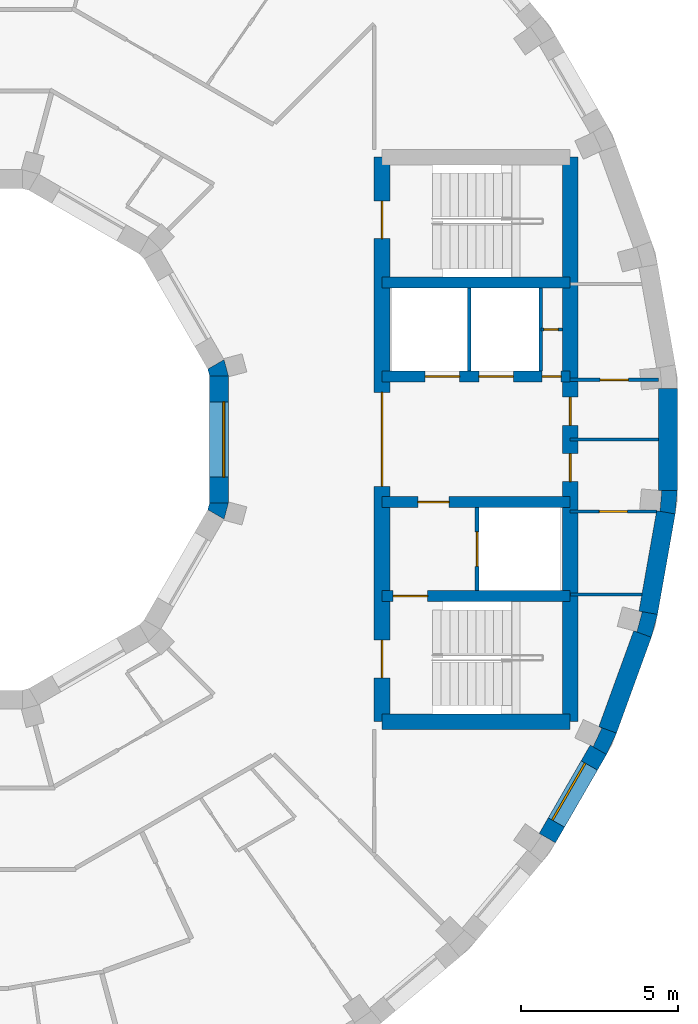
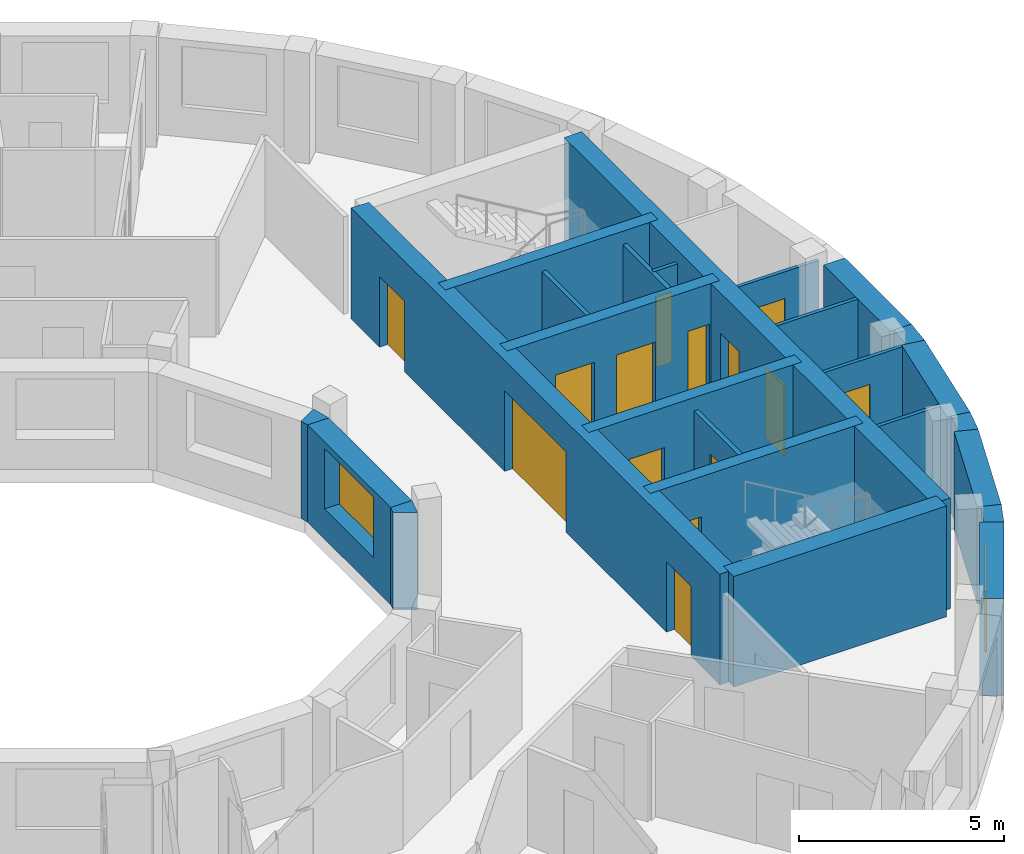
# One storey, part 6 of 10: 25 walls, 14 doors, 2 windows, 16 openings.
"""IFC4 building model written with IfcOpenShell, lengths in metres."""

from ifc_helpers import new_model, si_unit, direction, frame, frame_2d, origin, place, context, subcontext, project, spatial, polyline, rectangle, outline, extrude, material, layer, layer_set, type_object, element, fill, save


model = new_model("IFC4")

# Units and contexts
model_context = context("Model", 3, precision=1e-05, world=origin(), true_north=direction((0.0, 1.0)))
body_context = subcontext(model_context, "Body", "Model", "MODEL_VIEW")
ifc_project = project(units=[si_unit("LENGTHUNIT", "METRE"), si_unit("AREAUNIT", "SQUARE_METRE"), si_unit("VOLUMEUNIT", "CUBIC_METRE"), si_unit("PLANEANGLEUNIT", "RADIAN"), si_unit("MASSUNIT", "GRAM", prefix="KILO")], contexts=[model_context])

# Site, building, storey
site_placement = place(None, origin())
site = spatial("IfcSite", under=ifc_project, at=site_placement, CompositionType="ELEMENT")
building_placement = place(site_placement, origin())
building = spatial("IfcBuilding", under=site, at=building_placement, Name="Saqina Gate Tower", CompositionType="ELEMENT")
storey_placement = place(building_placement, frame((0.0, 0.0, 249.5)))
storey = spatial("IfcBuildingStorey", under=building, at=storey_placement, Name="L71", CompositionType="ELEMENT", Elevation=249.5)

# Walls
ifc_material_1 = material(Name="Brick masonry (buff)", Category="masonry")
wall_type_1 = type_object("IfcWallType", Name="BRICK PIER COPING BUFF", PredefinedType="SOLIDWALL", material=ifc_material_1)
wall_1_placement = place(storey_placement, origin())
element("IfcWall", 1, at=wall_1_placement, inside=storey, type_object=wall_type_1, Name="Pier cap L71 column 34", PredefinedType="SOLIDWALL", context=body_context, shape_type="SweptSolid", body=[
    extrude(outline(polyline([(20.65576171875, -10.048095703125), (20.974609375, -9.3642578125), (20.410888671875, -9.1591796875), (20.506591796875, -9.203857421875), (20.23193359375, -9.79296875), (20.135986328125, -9.748291015625), (20.65576171875, -10.048095703125)])), origin(), (0.0, 0.0, 1.0), 2.89990234375),
])
wall_2_placement = place(storey_placement, origin())
element("IfcWall", 2, at=wall_2_placement, inside=storey, type_object=wall_type_1, Name="Pier cap L71 column 35", PredefinedType="SOLIDWALL", context=body_context, shape_type="SweptSolid", body=[
    extrude(outline(polyline([(22.281982421875, -5.579833984375), (21.691162109375, -5.4755859375), (21.793212890625, -5.5029296875), (21.625, -6.130859375), (21.52294921875, -6.103515625), (22.0869140625, -6.30859375), (22.281982421875, -5.579833984375)])), origin(), (0.0, 0.0, 1.0), 2.89990234375),
])
wall_3_placement = place(storey_placement, origin())
element("IfcWall", 3, at=wall_3_placement, inside=storey, type_object=wall_type_1, Name="Pier cap L71 column 36", PredefinedType="SOLIDWALL", context=body_context, shape_type="SweptSolid", body=[
    extrude(outline(polyline([(22.8466796875, -2.377685546875), (22.91259765625, -1.625732421875), (22.3125, -1.625732421875), (22.417724609375, -1.635009765625), (22.361083984375, -2.28271484375), (22.255859375, -2.2734375), (22.8466796875, -2.377685546875)])), origin(), (0.0, 0.0, 1.0), 2.89990234375),
])

# Wall, opening, door
ifc_material_2 = material(Name="Gypsum board on steel studs", Category="steel")
ifc_layer_1 = layer(ifc_material_2, 0.10009765625)
ifc_layer_set_1 = layer_set([ifc_layer_1], Name="CORE PARTITION")
wall_type_2 = type_object("IfcWallType", Name="CORE PARTITION", PredefinedType="PARTITIONING", material=ifc_layer_set_1)
wall_4_placement = place(storey_placement, frame((18.56005859375, 3.5, 0.0), z_axis=(0.0, 0.0, 1.0), x_axis=(1.0, 0.0, 0.0)))
wall_4 = element("IfcWall", 4, at=wall_4_placement, inside=storey, type_object=wall_type_2, Name="L71-CP-E01", PredefinedType="PARTITIONING", context=body_context, shape_type="SweptSolid", body=[
    extrude(rectangle(XDim=0.68994140625, YDim=0.10009765625, at=frame_2d((0.344970703125, 0.0))), origin(), (0.0, 0.0, 1.0), 2.89990234375),
])
opening_1_placement = place(wall_4_placement, frame((0.10009765625, 0.0, 0.0)))
opening_1 = element("IfcOpeningElement", 5, at=opening_1_placement, cuts=wall_4, Name="Opening G21-D96", PredefinedType="OPENING", context=body_context, shape_type="SweptSolid", body=[
    extrude(rectangle(XDim=0.449951171875, YDim=2.10009765625, at=frame_2d((0.22509765625, 1.050048828125))), frame((0.0, 0.06201171875, 0.0), z_axis=(0.0, -1.0, 0.0), x_axis=(1.0, 0.0, 0.0)), (0.0, 0.0, 1.0), 0.1240234375),
])
ifc_material_3 = material(Name="Steel-framed fire door leaf, EI 60", Category="steel")
door_type_1 = type_object("IfcDoorType", Name="SERVICE ROOM DOOR 450", OperationType="SINGLE_SWING_LEFT", PredefinedType="DOOR", material=ifc_material_3)
door_1_placement = place(opening_1_placement, origin())
door_1 = element("IfcDoor", 6, at=door_1_placement, inside=storey, type_object=door_type_1, Name="L71-CD-E07", OperationType="SINGLE_SWING_RIGHT", OverallHeight=2.10009765625, OverallWidth=0.449951171875, PredefinedType="DOOR", context=body_context, shape_type="SweptSolid", body=[
    extrude(rectangle(XDim=0.449951171875, YDim=2.10009765625, at=frame_2d((0.22509765625, 1.050048828125))), frame((0.0, 0.02490234375, 0.0), z_axis=(0.0, -1.0, 0.0), x_axis=(1.0, 0.0, 0.0)), (0.0, 0.0, 1.0), 0.050048828125),
])
fill(opening_1, door_1)

wall_5_placement = place(storey_placement, frame((19.5, 1.89990234375, 0.0), z_axis=(0.0, 0.0, 1.0), x_axis=(1.0, 0.0, 0.0)))
wall_5 = element("IfcWall", 7, at=wall_5_placement, inside=storey, type_object=wall_type_2, Name="L71-CP-E03", PredefinedType="PARTITIONING", context=body_context, shape_type="SweptSolid", body=[
    extrude(rectangle(XDim=2.8125, YDim=0.10009765625, at=frame_2d((1.40625, 0.0))), origin(), (0.0, 0.0, 1.0), 2.89990234375),
])
opening_2_placement = place(wall_5_placement, frame((0.956298828125, 0.0, 0.0)))
opening_2 = element("IfcOpeningElement", 8, at=opening_2_placement, cuts=wall_5, Name="Opening G21-D92", PredefinedType="OPENING", context=body_context, shape_type="SweptSolid", body=[
    extrude(rectangle(XDim=0.89990234375, YDim=2.10009765625, at=frame_2d((0.449951171875, 1.050048828125))), frame((0.0, 0.06201171875, 0.0), z_axis=(0.0, -1.0, 0.0), x_axis=(1.0, 0.0, 0.0)), (0.0, 0.0, 1.0), 0.1240234375),
])
ifc_material_4 = material(Name="Steel-framed fire door leaf, EI 60", Category="steel")
door_type_2 = type_object("IfcDoorType", Name="SERVICE ROOM DOOR 900", OperationType="SINGLE_SWING_LEFT", PredefinedType="DOOR", material=ifc_material_4)
door_2_placement = place(opening_2_placement, origin())
door_2 = element("IfcDoor", 9, at=door_2_placement, inside=storey, type_object=door_type_2, Name="L71-CD-E03", OperationType="SINGLE_SWING_RIGHT", OverallHeight=2.10009765625, OverallWidth=0.89990234375, PredefinedType="DOOR", context=body_context, shape_type="SweptSolid", body=[
    extrude(rectangle(XDim=0.89990234375, YDim=2.10009765625, at=frame_2d((0.449951171875, 1.050048828125))), frame((0.0, 0.02490234375, 0.0), z_axis=(0.0, -1.0, 0.0), x_axis=(1.0, 0.0, 0.0)), (0.0, 0.0, 1.0), 0.050048828125),
])
fill(opening_2, door_2)

# Wall
wall_6_placement = place(storey_placement, frame((19.5, -4.949951171875, 0.0), z_axis=(0.0, 0.0, 1.0), x_axis=(1.0, 0.0, 0.0)))
element("IfcWall", 10, at=wall_6_placement, inside=storey, type_object=wall_type_2, Name="L71-CP-E04", PredefinedType="PARTITIONING", context=body_context, shape_type="SweptSolid", body=[
    extrude(rectangle(XDim=2.283935546875, YDim=0.10009765625, at=frame_2d((1.14208984375, 0.0))), origin(), (0.0, 0.0, 1.0), 2.89990234375),
])

# Wall, opening, door
wall_7_placement = place(storey_placement, frame((19.5, -2.300048828125, 0.0), z_axis=(0.0, 0.0, 1.0), x_axis=(1.0, 0.0, 0.0)))
wall_7 = element("IfcWall", 11, at=wall_7_placement, inside=storey, type_object=wall_type_2, Name="L71-CP-E05", PredefinedType="PARTITIONING", context=body_context, shape_type="SweptSolid", body=[
    extrude(rectangle(XDim=2.751220703125, YDim=0.10009765625, at=frame_2d((1.37548828125, 0.0))), origin(), (0.0, 0.0, 1.0), 2.89990234375),
])
opening_3_placement = place(wall_7_placement, frame((0.925537109375, 0.0, 0.0)))
opening_3 = element("IfcOpeningElement", 12, at=opening_3_placement, cuts=wall_7, Name="Opening G21-D94", PredefinedType="OPENING", context=body_context, shape_type="SweptSolid", body=[
    extrude(rectangle(XDim=0.89990234375, YDim=2.10009765625, at=frame_2d((0.449951171875, 1.050048828125))), frame((0.0, 0.06201171875, 0.0), z_axis=(0.0, -1.0, 0.0), x_axis=(1.0, 0.0, 0.0)), (0.0, 0.0, 1.0), 0.1240234375),
])
door_3_placement = place(opening_3_placement, frame((0.89990234375, 0.0, 0.0), z_axis=(0.0, 0.0, 1.0), x_axis=(-1.0, 0.0, 0.0)))
door_3 = element("IfcDoor", 13, at=door_3_placement, inside=storey, type_object=door_type_2, Name="L71-CD-E05", OperationType="SINGLE_SWING_RIGHT", OverallHeight=2.10009765625, OverallWidth=0.89990234375, PredefinedType="DOOR", context=body_context, shape_type="SweptSolid", body=[
    extrude(rectangle(XDim=0.89990234375, YDim=2.10009765625, at=frame_2d((0.449951171875, 1.050048828125))), frame((0.0, 0.02490234375, 0.0), z_axis=(0.0, -1.0, 0.0), x_axis=(1.0, 0.0, 0.0)), (0.0, 0.0, 1.0), 0.050048828125),
])
fill(opening_3, door_3)

# Wall
wall_8_placement = place(storey_placement, frame((19.5, 0.0, 0.0), z_axis=(0.0, 0.0, 1.0), x_axis=(1.0, 0.0, 0.0)))
element("IfcWall", 14, at=wall_8_placement, inside=storey, type_object=wall_type_2, Name="L71-CP-E06", PredefinedType="PARTITIONING", context=body_context, shape_type="SweptSolid", body=[
    extrude(rectangle(XDim=2.8125, YDim=0.10009765625, at=frame_2d((1.40625, 0.0))), origin(), (0.0, 0.0, 1.0), 2.89990234375),
])

# Wall, opening, window
ifc_material_5 = material(Name="Brick masonry (buff)", Category="masonry")
ifc_layer_2 = layer(ifc_material_5, 0.60009765625)
ifc_layer_set_2 = layer_set([ifc_layer_2], Name="FW-BRICK-BUFF")
wall_type_3 = type_object("IfcWallType", Name="FW-BRICK-BUFF", PredefinedType="SOLIDWALL", material=ifc_layer_set_2)
wall_9_placement = place(storey_placement, frame((18.77001953125, -12.71435546875, 0.0), z_axis=(0.0, 0.0, 1.0), x_axis=(0.500014901547, 0.866016800201, 0.0)))
wall_9 = element("IfcWall", 15, at=wall_9_placement, inside=storey, type_object=wall_type_3, Name="Facade wall L71 facet 33", PredefinedType="SOLIDWALL", context=body_context, shape_type="SweptSolid", body=[
    extrude(rectangle(XDim=3.251953125, YDim=0.60009765625, at=frame_2d((1.6259765625, 0.0))), origin(), (0.0, 0.0, 1.0), 2.89990234375),
])
opening_4_placement = place(wall_9_placement, frame((0.57568359375, 0.0, 0.89990234375)))
opening_4 = element("IfcOpeningElement", 16, at=opening_4_placement, cuts=wall_9, Name="Opening G21-W24", PredefinedType="OPENING", context=body_context, shape_type="SweptSolid", body=[
    extrude(rectangle(XDim=2.10009765625, YDim=1.800048828125, at=frame_2d((1.050048828125, 0.89990234375))), frame((0.0, 0.31201171875, 0.0), z_axis=(0.0, -1.0, 0.0), x_axis=(1.0, 0.0, 0.0)), (0.0, 0.0, 1.0), 0.6240234375),
])
ifc_material_6 = material(Name="Aluminium glazing", Category="aluminium")
window_type_1 = type_object("IfcWindowType", Name="WN-D", PartitioningType="SINGLE_PANEL", PredefinedType="WINDOW", material=ifc_material_6)
window_1_placement = place(opening_4_placement, origin())
window_1 = element("IfcWindow", 17, at=window_1_placement, inside=storey, type_object=window_type_1, Name="Window L71 facet 33", OverallHeight=1.800048828125, OverallWidth=2.10009765625, PartitioningType="SINGLE_PANEL", PredefinedType="WINDOW", context=body_context, shape_type="SweptSolid", body=[
    extrude(rectangle(XDim=2.10009765625, YDim=1.800048828125, at=frame_2d((1.050048828125, 0.89990234375))), frame((0.0, 0.179931640625, 0.0), z_axis=(0.0, -1.0, 0.0), x_axis=(1.0, 0.0, 0.0)), (0.0, 0.0, 1.0), 0.06005859375),
])
fill(opening_4, window_1)

# Walls
ifc_material_7 = material(Name="Glazed ceramic tile", Category="ceramic")
ifc_layer_3 = layer(ifc_material_7, 0.60009765625)
ifc_layer_set_3 = layer_set([ifc_layer_3], Name="FW-TILE")
wall_type_4 = type_object("IfcWallType", Name="FW-TILE", PredefinedType="SOLIDWALL", material=ifc_layer_set_3)
wall_10_placement = place(storey_placement, frame((20.692626953125, -9.26171875, 0.0), z_axis=(0.0, 0.0, 1.0), x_axis=(0.342056509473, 0.939679383794, 0.0)))
element("IfcWall", 18, at=wall_10_placement, inside=storey, type_object=wall_type_4, Name="Facade wall L71 facet 34", PredefinedType="SOLIDWALL", context=body_context, shape_type="SweptSolid", body=[
    extrude(rectangle(XDim=3.251708984375, YDim=0.60009765625, at=frame_2d((1.6259765625, 0.0))), origin(), (0.0, 0.0, 1.0), 2.89990234375),
])
wall_11_placement = place(storey_placement, frame((22.612548828125, -1.625732421875, 0.0), z_axis=(0.0, 0.0, 1.0), x_axis=(0.0, 1.0, 0.0)))
element("IfcWall", 19, at=wall_11_placement, inside=storey, type_object=wall_type_4, Name="Facade wall L71 facet 36", PredefinedType="SOLIDWALL", context=body_context, shape_type="SweptSolid", body=[
    extrude(rectangle(XDim=3.25146484375, YDim=0.60009765625, at=frame_2d((1.625732421875, 0.0))), origin(), (0.0, 0.0, 1.0), 2.89990234375),
])
ifc_material_8 = material(Name="Glazed ceramic tile (dark blue)", Category="ceramic")
ifc_layer_4 = layer(ifc_material_8, 0.60009765625)
ifc_layer_set_4 = layer_set([ifc_layer_4], Name="FW-TILE-CB")
wall_type_5 = type_object("IfcWallType", Name="FW-TILE-CB", PredefinedType="SOLIDWALL", material=ifc_layer_set_4)
wall_12_placement = place(storey_placement, frame((21.986572265625, -5.52783203125, 0.0), z_axis=(0.0, 0.0, 1.0), x_axis=(0.173656842178, 0.984806225186, 0.0)))
element("IfcWall", 20, at=wall_12_placement, inside=storey, type_object=wall_type_5, Name="Facade wall L71 facet 35", PredefinedType="SOLIDWALL", context=body_context, shape_type="SweptSolid", body=[
    extrude(rectangle(XDim=3.251708984375, YDim=0.60009765625, at=frame_2d((1.6259765625, 0.0))), origin(), (0.0, 0.0, 1.0), 2.89990234375),
])

# Wall, opening, window
ifc_material_9 = material(Name="Glazed ceramic tile", Category="ceramic")
ifc_layer_5 = layer(ifc_material_9, 0.60009765625)
ifc_layer_set_5 = layer_set([ifc_layer_5], Name="IW-TILE")
wall_type_6 = type_object("IfcWallType", Name="IW-TILE", PredefinedType="SOLIDWALL", material=ifc_layer_set_5)
wall_13_placement = place(storey_placement, frame((8.300048828125, -2.029296875, 0.0), z_axis=(0.0, 0.0, 1.0), x_axis=(0.0, 1.0, 0.0)))
wall_13 = element("IfcWall", 21, at=wall_13_placement, inside=storey, type_object=wall_type_6, Name="Well wall L71 facet 12", PredefinedType="SOLIDWALL", context=body_context, shape_type="SweptSolid", body=[
    extrude(rectangle(XDim=4.05859375, YDim=0.60009765625, at=frame_2d((2.029296875, 0.0))), origin(), (0.0, 0.0, 1.0), 2.89990234375),
])
opening_5_placement = place(wall_13_placement, frame((0.829345703125, 0.0, 0.89990234375)))
opening_5 = element("IfcOpeningElement", 22, at=opening_5_placement, cuts=wall_13, Name="Opening G21-W36", PredefinedType="OPENING", context=body_context, shape_type="SweptSolid", body=[
    extrude(rectangle(XDim=2.39990234375, YDim=1.800048828125, at=frame_2d((1.199951171875, 0.89990234375))), frame((0.0, 0.31201171875, 0.0), z_axis=(0.0, -1.0, 0.0), x_axis=(1.0, 0.0, 0.0)), (0.0, 0.0, 1.0), 0.6240234375),
])
ifc_material_10 = material(Name="Aluminium glazing", Category="aluminium")
window_type_2 = type_object("IfcWindowType", Name="WN-W", PartitioningType="SINGLE_PANEL", PredefinedType="WINDOW", material=ifc_material_10)
window_2_placement = place(opening_5_placement, origin())
window_2 = element("IfcWindow", 23, at=window_2_placement, inside=storey, type_object=window_type_2, Name="Well window L71 facet 12", OverallHeight=1.800048828125, OverallWidth=2.39990234375, PartitioningType="SINGLE_PANEL", PredefinedType="WINDOW", context=body_context, shape_type="SweptSolid", body=[
    extrude(rectangle(XDim=2.39990234375, YDim=1.800048828125, at=frame_2d((1.199951171875, 0.89990234375))), frame((0.0, -0.119873046875, 0.0), z_axis=(0.0, -1.0, 0.0), x_axis=(1.0, 0.0, 0.0)), (0.0, 0.0, 1.0), 0.06005859375),
])
fill(opening_5, window_2)

# Walls
ifc_material_11 = material(Name="Autoclaved aerated concrete block", Category="concrete")
ifc_layer_6 = layer(ifc_material_11, 0.1201171875)
ifc_layer_set_6 = layer_set([ifc_layer_6], Name="SHAFT PARTITION")
wall_type_7 = type_object("IfcWallType", Name="SHAFT PARTITION", PredefinedType="PARTITIONING", material=ifc_layer_set_6)
for number, where, z_axis, x_axis, name in (
    (24, (16.280029296875, 2.175048828125, 0.0), (0.0, 0.0, 1.0), (0.0, 1.0, 0.0), "L71-CP-E07"),
    (25, (18.56005859375, 2.175048828125, 0.0), (0.0, 0.0, 1.0), (0.0, 1.0, 0.0), "L71-CP-E08"),
):
    element("IfcWall", number, at=place(storey_placement, frame(where, z_axis=z_axis, x_axis=x_axis)), inside=storey, type_object=wall_type_7, Name=name, PredefinedType="PARTITIONING", context=body_context, shape_type="SweptSolid", body=[
        extrude(rectangle(XDim=2.64990234375, YDim=0.1201171875, at=frame_2d((1.324951171875, 0.0))), origin(), (0.0, 0.0, 1.0), 2.89990234375),
    ])

# Wall, opening, door
wall_14_placement = place(storey_placement, frame((16.530029296875, -4.824951171875, 0.0), z_axis=(0.0, 0.0, 1.0), x_axis=(0.0, 1.0, 0.0)))
wall_14 = element("IfcWall", 26, at=wall_14_placement, inside=storey, type_object=wall_type_7, Name="L71-CP-E09", PredefinedType="PARTITIONING", context=body_context, shape_type="SweptSolid", body=[
    extrude(rectangle(XDim=2.64990234375, YDim=0.1201171875, at=frame_2d((1.324951171875, 0.0))), origin(), (0.0, 0.0, 1.0), 2.89990234375),
])
opening_6_placement = place(wall_14_placement, frame((0.77490234375, 0.0, 0.0)))
opening_6 = element("IfcOpeningElement", 27, at=opening_6_placement, cuts=wall_14, Name="Opening G21-LD3", PredefinedType="OPENING", context=body_context, shape_type="SweptSolid", body=[
    extrude(rectangle(XDim=1.10009765625, YDim=2.10009765625, at=frame_2d((0.550048828125, 1.050048828125))), frame((0.0, 0.072021484375, 0.0), z_axis=(0.0, -1.0, 0.0), x_axis=(1.0, 0.0, 0.0)), (0.0, 0.0, 1.0), 0.14404296875),
])
ifc_material_12 = material(Name="Stainless steel", Category="steel")
door_type_3 = type_object("IfcDoorType", Name="LANDING DOOR", OperationType="DOUBLE_DOOR_SLIDING", PredefinedType="DOOR", material=ifc_material_12)
door_4_placement = place(opening_6_placement, origin())
door_4 = element("IfcDoor", 28, at=door_4_placement, inside=storey, type_object=door_type_3, Name="LANDING DOOR FF1", OperationType="DOUBLE_DOOR_SLIDING", OverallHeight=2.10009765625, OverallWidth=1.10009765625, PredefinedType="DOOR", context=body_context, shape_type="SweptSolid", body=[
    extrude(rectangle(XDim=1.10009765625, YDim=2.10009765625, at=frame_2d((0.550048828125, 1.050048828125))), frame((0.0, 0.02490234375, 0.0), z_axis=(0.0, -1.0, 0.0), x_axis=(1.0, 0.0, 0.0)), (0.0, 0.0, 1.0), 0.050048828125),
])
fill(opening_6, door_4)

# Wall
ifc_material_13 = material(Name="Concrete C60/75", Category="concrete")
ifc_layer_7 = layer(ifc_material_13, 0.35009765625)
ifc_layer_set_7 = layer_set([ifc_layer_7], Name="Concrete C60/75")
wall_type_8 = type_object("IfcWallType", Name="STR-CORE WALL-D-I", PredefinedType="SHEAR", material=ifc_layer_set_7)
wall_15_placement = place(storey_placement, frame((13.5, 5.0, 0.0), z_axis=(0.0, 0.0, 1.0), x_axis=(1.0, 0.0, 0.0)))
element("IfcWall", 29, at=wall_15_placement, inside=storey, type_object=wall_type_8, Name="CORE WALL L71 E-X1", PredefinedType="SHEAR", context=body_context, shape_type="SweptSolid", body=[
    extrude(rectangle(XDim=6.0, YDim=0.35009765625, at=frame_2d((3.0, 0.0))), origin(), (0.0, 0.0, 1.0), 3.300048828125),
])

# Wall, opening, door
wall_16_placement = place(storey_placement, frame((13.5, -5.0, 0.0), z_axis=(0.0, 0.0, 1.0), x_axis=(1.0, 0.0, 0.0)))
wall_16 = element("IfcWall", 30, at=wall_16_placement, inside=storey, type_object=wall_type_8, Name="CORE WALL L71 E-X2", PredefinedType="SHEAR", context=body_context, shape_type="SweptSolid", body=[
    extrude(rectangle(XDim=6.0, YDim=0.35009765625, at=frame_2d((3.0, 0.0))), origin(), (0.0, 0.0, 1.0), 3.300048828125),
])
opening_7_placement = place(wall_16_placement, frame((0.35009765625, 0.0, 0.0)))
opening_7 = element("IfcOpeningElement", 31, at=opening_7_placement, cuts=wall_16, Name="Opening G21-D97", PredefinedType="OPENING", context=body_context, shape_type="SweptSolid", body=[
    extrude(rectangle(XDim=1.10009765625, YDim=2.10009765625, at=frame_2d((0.550048828125, 1.050048828125))), frame((0.0, 0.18701171875, 0.0), z_axis=(0.0, -1.0, 0.0), x_axis=(1.0, 0.0, 0.0)), (0.0, 0.0, 1.0), 0.3740234375),
])
ifc_material_14 = material(Name="Steel", Category="steel")
door_type_4 = type_object("IfcDoorType", Name="FIRE LOBBY DOOR EI 60 WIDE", OperationType="SINGLE_SWING_LEFT", PredefinedType="DOOR", material=ifc_material_14)
door_5_placement = place(opening_7_placement, frame((1.10009765625, 0.0, 0.0), z_axis=(0.0, 0.0, 1.0), x_axis=(-1.0, 0.0, 0.0)))
door_5 = element("IfcDoor", 32, at=door_5_placement, inside=storey, type_object=door_type_4, Name="L71-CD-E08", OperationType="SINGLE_SWING_RIGHT", OverallHeight=2.10009765625, OverallWidth=1.10009765625, PredefinedType="DOOR", context=body_context, shape_type="SweptSolid", body=[
    extrude(rectangle(XDim=1.10009765625, YDim=2.10009765625, at=frame_2d((0.550048828125, 1.050048828125))), frame((0.0, 0.02490234375, 0.0), z_axis=(0.0, -1.0, 0.0), x_axis=(1.0, 0.0, 0.0)), (0.0, 0.0, 1.0), 0.050048828125),
])
fill(opening_7, door_5)

# Wall, openings, doors
wall_17_placement = place(storey_placement, frame((13.5, 2.0, 0.0), z_axis=(0.0, 0.0, 1.0), x_axis=(1.0, 0.0, 0.0)))
wall_17 = element("IfcWall", 33, at=wall_17_placement, inside=storey, type_object=wall_type_8, Name="CORE WALL L71 E-L1", PredefinedType="SHEAR", context=body_context, shape_type="SweptSolid", body=[
    extrude(rectangle(XDim=6.0, YDim=0.35009765625, at=frame_2d((3.0, 0.0))), origin(), (0.0, 0.0, 1.0), 3.300048828125),
])
opening_8_placement = place(wall_17_placement, frame((1.3701171875, 0.0, 0.0)))
opening_8 = element("IfcOpeningElement", 34, at=opening_8_placement, cuts=wall_17, Name="Opening G21-LD1", PredefinedType="OPENING", context=body_context, shape_type="SweptSolid", body=[
    extrude(rectangle(XDim=1.10009765625, YDim=2.10009765625, at=frame_2d((0.550048828125, 1.050048828125))), frame((0.0, 0.18701171875, 0.0), z_axis=(0.0, -1.0, 0.0), x_axis=(1.0, 0.0, 0.0)), (0.0, 0.0, 1.0), 0.3740234375),
])
opening_9_placement = place(wall_17_placement, frame((3.090087890625, 0.0, 0.0)))
opening_9 = element("IfcOpeningElement", 35, at=opening_9_placement, cuts=wall_17, Name="Opening G21-LD2", PredefinedType="OPENING", context=body_context, shape_type="SweptSolid", body=[
    extrude(rectangle(XDim=1.10009765625, YDim=2.10009765625, at=frame_2d((0.550048828125, 1.050048828125))), frame((0.0, 0.18701171875, 0.0), z_axis=(0.0, -1.0, 0.0), x_axis=(1.0, 0.0, 0.0)), (0.0, 0.0, 1.0), 0.3740234375),
])
opening_10_placement = place(wall_17_placement, frame((5.10498046875, 0.0, 0.0)))
opening_10 = element("IfcOpeningElement", 36, at=opening_10_placement, cuts=wall_17, Name="Opening G21-D90", PredefinedType="OPENING", context=body_context, shape_type="SweptSolid", body=[
    extrude(rectangle(XDim=0.60009765625, YDim=2.10009765625, at=frame_2d((0.300048828125, 1.050048828125))), frame((0.0, 0.18701171875, 0.0), z_axis=(0.0, -1.0, 0.0), x_axis=(1.0, 0.0, 0.0)), (0.0, 0.0, 1.0), 0.3740234375),
])
door_6_placement = place(opening_8_placement, origin())
door_6 = element("IfcDoor", 37, at=door_6_placement, inside=storey, type_object=door_type_3, Name="LANDING DOOR HR1", OperationType="DOUBLE_DOOR_SLIDING", OverallHeight=2.10009765625, OverallWidth=1.10009765625, PredefinedType="DOOR", context=body_context, shape_type="SweptSolid", body=[
    extrude(rectangle(XDim=1.10009765625, YDim=2.10009765625, at=frame_2d((0.550048828125, 1.050048828125))), frame((0.0, 0.02490234375, 0.0), z_axis=(0.0, -1.0, 0.0), x_axis=(1.0, 0.0, 0.0)), (0.0, 0.0, 1.0), 0.050048828125),
])
fill(opening_8, door_6)
door_7_placement = place(opening_9_placement, origin())
door_7 = element("IfcDoor", 38, at=door_7_placement, inside=storey, type_object=door_type_3, Name="LANDING DOOR HR2", OperationType="DOUBLE_DOOR_SLIDING", OverallHeight=2.10009765625, OverallWidth=1.10009765625, PredefinedType="DOOR", context=body_context, shape_type="SweptSolid", body=[
    extrude(rectangle(XDim=1.10009765625, YDim=2.10009765625, at=frame_2d((0.550048828125, 1.050048828125))), frame((0.0, 0.02490234375, 0.0), z_axis=(0.0, -1.0, 0.0), x_axis=(1.0, 0.0, 0.0)), (0.0, 0.0, 1.0), 0.050048828125),
])
fill(opening_9, door_7)
ifc_material_15 = material(Name="Steel-framed fire door leaf, EI 60", Category="steel")
door_type_5 = type_object("IfcDoorType", Name="SERVICE ROOM DOOR 600", OperationType="SINGLE_SWING_LEFT", PredefinedType="DOOR", material=ifc_material_15)
door_8_placement = place(opening_10_placement, origin())
door_8 = element("IfcDoor", 39, at=door_8_placement, inside=storey, type_object=door_type_5, Name="L71-CD-E01", OperationType="SINGLE_SWING_RIGHT", OverallHeight=2.10009765625, OverallWidth=0.60009765625, PredefinedType="DOOR", context=body_context, shape_type="SweptSolid", body=[
    extrude(rectangle(XDim=0.60009765625, YDim=2.10009765625, at=frame_2d((0.300048828125, 1.050048828125))), frame((0.0, 0.02490234375, 0.0), z_axis=(0.0, -1.0, 0.0), x_axis=(1.0, 0.0, 0.0)), (0.0, 0.0, 1.0), 0.050048828125),
])
fill(opening_10, door_8)

# Wall, opening, door
wall_18_placement = place(storey_placement, frame((13.5, -2.0, 0.0), z_axis=(0.0, 0.0, 1.0), x_axis=(1.0, 0.0, 0.0)))
wall_18 = element("IfcWall", 40, at=wall_18_placement, inside=storey, type_object=wall_type_8, Name="CORE WALL L71 E-L2", PredefinedType="SHEAR", context=body_context, shape_type="SweptSolid", body=[
    extrude(rectangle(XDim=6.0, YDim=0.35009765625, at=frame_2d((3.0, 0.0))), origin(), (0.0, 0.0, 1.0), 3.300048828125),
])
opening_11_placement = place(wall_18_placement, frame((1.139892578125, 0.0, 0.0)))
opening_11 = element("IfcOpeningElement", 41, at=opening_11_placement, cuts=wall_18, Name="Opening G21-D91", PredefinedType="OPENING", context=body_context, shape_type="SweptSolid", body=[
    extrude(rectangle(XDim=1.0, YDim=2.10009765625, at=frame_2d((0.5, 1.050048828125))), frame((0.0, 0.18701171875, 0.0), z_axis=(0.0, -1.0, 0.0), x_axis=(1.0, 0.0, 0.0)), (0.0, 0.0, 1.0), 0.3740234375),
])
ifc_material_16 = material(Name="Steel", Category="steel")
door_type_6 = type_object("IfcDoorType", Name="FIRE LOBBY DOOR EI 60", OperationType="SINGLE_SWING_LEFT", PredefinedType="DOOR", material=ifc_material_16)
door_9_placement = place(opening_11_placement, origin())
door_9 = element("IfcDoor", 42, at=door_9_placement, inside=storey, type_object=door_type_6, Name="L71-CD-E02", OperationType="SINGLE_SWING_LEFT", OverallHeight=2.10009765625, OverallWidth=1.0, PredefinedType="DOOR", context=body_context, shape_type="SweptSolid", body=[
    extrude(rectangle(XDim=1.0, YDim=2.10009765625, at=frame_2d((0.5, 1.050048828125))), frame((0.0, 0.02490234375, 0.0), z_axis=(0.0, -1.0, 0.0), x_axis=(1.0, 0.0, 0.0)), (0.0, 0.0, 1.0), 0.050048828125),
])
fill(opening_11, door_9)

# Wall, openings, doors
ifc_material_17 = material(Name="Concrete C60/75", Category="concrete")
ifc_layer_8 = layer(ifc_material_17, 0.5)
ifc_layer_set_8 = layer_set([ifc_layer_8], Name="Concrete C60/75")
wall_type_9 = type_object("IfcWallType", Name="STR-CORE WALL-D-O", PredefinedType="SHEAR", material=ifc_layer_set_8)
wall_19_placement = place(storey_placement, frame((13.5, -9.0, 0.0), z_axis=(0.0, 0.0, 1.0), x_axis=(0.0, 1.0, 0.0)))
wall_19 = element("IfcWall", 43, at=wall_19_placement, inside=storey, type_object=wall_type_9, Name="CORE WALL L71 E-W1", PredefinedType="SHEAR", context=body_context, shape_type="SweptSolid", body=[
    extrude(rectangle(XDim=18.0, YDim=0.5, at=frame_2d((9.0, 0.0))), origin(), (0.0, 0.0, 1.0), 3.300048828125),
])
opening_12_placement = place(wall_19_placement, frame((15.39990234375, 0.0, 0.0)))
opening_12 = element("IfcOpeningElement", 44, at=opening_12_placement, cuts=wall_19, Name="Opening G21-D98", PredefinedType="OPENING", context=body_context, shape_type="SweptSolid", body=[
    extrude(rectangle(XDim=1.199951171875, YDim=2.10009765625, at=frame_2d((0.60009765625, 1.050048828125))), frame((0.0, 0.261962890625, 0.0), z_axis=(0.0, -1.0, 0.0), x_axis=(1.0, 0.0, 0.0)), (0.0, 0.0, 1.0), 0.52392578125),
])
opening_13_placement = place(wall_19_placement, frame((1.39990234375, 0.0, 0.0)))
opening_13 = element("IfcOpeningElement", 45, at=opening_13_placement, cuts=wall_19, Name="Opening G21-D99", PredefinedType="OPENING", context=body_context, shape_type="SweptSolid", body=[
    extrude(rectangle(XDim=1.199951171875, YDim=2.10009765625, at=frame_2d((0.60009765625, 1.050048828125))), frame((0.0, 0.261962890625, 0.0), z_axis=(0.0, -1.0, 0.0), x_axis=(1.0, 0.0, 0.0)), (0.0, 0.0, 1.0), 0.52392578125),
])
opening_14_placement = place(wall_19_placement, frame((7.5, 0.0, 0.0)))
opening_14 = element("IfcOpeningElement", 46, at=opening_14_placement, cuts=wall_19, Name="Opening G21-D100", PredefinedType="OPENING", context=body_context, shape_type="SweptSolid", body=[
    extrude(rectangle(XDim=3.0, YDim=2.39990234375, at=frame_2d((1.5, 1.199951171875))), frame((0.0, 0.261962890625, 0.0), z_axis=(0.0, -1.0, 0.0), x_axis=(1.0, 0.0, 0.0)), (0.0, 0.0, 1.0), 0.52392578125),
])
ifc_material_18 = material(Name="Steel", Category="steel")
door_type_7 = type_object("IfcDoorType", Name="FIRE DOOR EI 60", OperationType="SINGLE_SWING_LEFT", PredefinedType="DOOR", material=ifc_material_18)
door_10_placement = place(opening_12_placement, frame((1.199951171875, 0.0, 0.0), z_axis=(0.0, 0.0, 1.0), x_axis=(-1.0, 0.0, 0.0)))
door_10 = element("IfcDoor", 47, at=door_10_placement, inside=storey, type_object=door_type_7, Name="L71-CD-E09", OperationType="SINGLE_SWING_LEFT", OverallHeight=2.10009765625, OverallWidth=1.199951171875, PredefinedType="DOOR", context=body_context, shape_type="SweptSolid", body=[
    extrude(rectangle(XDim=1.199951171875, YDim=2.10009765625, at=frame_2d((0.60009765625, 1.050048828125))), frame((0.0, 0.02490234375, 0.0), z_axis=(0.0, -1.0, 0.0), x_axis=(1.0, 0.0, 0.0)), (0.0, 0.0, 1.0), 0.050048828125),
])
fill(opening_12, door_10)
door_11_placement = place(opening_13_placement, frame((1.199951171875, 0.0, 0.0), z_axis=(0.0, 0.0, 1.0), x_axis=(-1.0, 0.0, 0.0)))
door_11 = element("IfcDoor", 48, at=door_11_placement, inside=storey, type_object=door_type_7, Name="L71-CD-E10", OperationType="SINGLE_SWING_RIGHT", OverallHeight=2.10009765625, OverallWidth=1.199951171875, PredefinedType="DOOR", context=body_context, shape_type="SweptSolid", body=[
    extrude(rectangle(XDim=1.199951171875, YDim=2.10009765625, at=frame_2d((0.60009765625, 1.050048828125))), frame((0.0, 0.02490234375, 0.0), z_axis=(0.0, -1.0, 0.0), x_axis=(1.0, 0.0, 0.0)), (0.0, 0.0, 1.0), 0.050048828125),
])
fill(opening_13, door_11)
ifc_material_19 = material(Name="Steel and fire-resisting glass", Category="steel")
door_type_8 = type_object("IfcDoorType", Name="LOBBY SCREEN DOOR", OperationType="DOUBLE_DOOR_SLIDING", PredefinedType="DOOR", material=ifc_material_19)
door_12_placement = place(opening_14_placement, origin())
door_12 = element("IfcDoor", 49, at=door_12_placement, inside=storey, type_object=door_type_8, Name="L71-CD-E11", OperationType="DOUBLE_DOOR_SLIDING", OverallHeight=2.39990234375, OverallWidth=3.0, PredefinedType="DOOR", context=body_context, shape_type="SweptSolid", body=[
    extrude(rectangle(XDim=3.0, YDim=2.39990234375, at=frame_2d((1.5, 1.199951171875))), frame((0.0, 0.02490234375, 0.0), z_axis=(0.0, -1.0, 0.0), x_axis=(1.0, 0.0, 0.0)), (0.0, 0.0, 1.0), 0.050048828125),
])
fill(opening_14, door_12)

wall_20_placement = place(storey_placement, frame((19.5, -9.0, 0.0), z_axis=(0.0, 0.0, 1.0), x_axis=(0.0, 1.0, 0.0)))
wall_20 = element("IfcWall", 50, at=wall_20_placement, inside=storey, type_object=wall_type_9, Name="CORE WALL L71 E-W2", PredefinedType="SHEAR", context=body_context, shape_type="SweptSolid", body=[
    extrude(rectangle(XDim=18.0, YDim=0.5, at=frame_2d((9.0, 0.0))), origin(), (0.0, 0.0, 1.0), 3.300048828125),
])
opening_15_placement = place(wall_20_placement, frame((9.449951171875, 0.0, 0.0)))
opening_15 = element("IfcOpeningElement", 51, at=opening_15_placement, cuts=wall_20, Name="Opening G21-D93", PredefinedType="OPENING", context=body_context, shape_type="SweptSolid", body=[
    extrude(rectangle(XDim=0.89990234375, YDim=2.10009765625, at=frame_2d((0.449951171875, 1.050048828125))), frame((0.0, 0.261962890625, 0.0), z_axis=(0.0, -1.0, 0.0), x_axis=(1.0, 0.0, 0.0)), (0.0, 0.0, 1.0), 0.52392578125),
])
opening_16_placement = place(wall_20_placement, frame((7.64990234375, 0.0, 0.0)))
opening_16 = element("IfcOpeningElement", 52, at=opening_16_placement, cuts=wall_20, Name="Opening G21-D95", PredefinedType="OPENING", context=body_context, shape_type="SweptSolid", body=[
    extrude(rectangle(XDim=0.89990234375, YDim=2.10009765625, at=frame_2d((0.449951171875, 1.050048828125))), frame((0.0, 0.261962890625, 0.0), z_axis=(0.0, -1.0, 0.0), x_axis=(1.0, 0.0, 0.0)), (0.0, 0.0, 1.0), 0.52392578125),
])
door_13_placement = place(opening_15_placement, frame((0.89990234375, 0.0, 0.0), z_axis=(0.0, 0.0, 1.0), x_axis=(-1.0, 0.0, 0.0)))
door_13 = element("IfcDoor", 53, at=door_13_placement, inside=storey, type_object=door_type_2, Name="L71-CD-E04", OperationType="SINGLE_SWING_LEFT", OverallHeight=2.10009765625, OverallWidth=0.89990234375, PredefinedType="DOOR", context=body_context, shape_type="SweptSolid", body=[
    extrude(rectangle(XDim=0.89990234375, YDim=2.10009765625, at=frame_2d((0.449951171875, 1.050048828125))), frame((0.0, 0.02490234375, 0.0), z_axis=(0.0, -1.0, 0.0), x_axis=(1.0, 0.0, 0.0)), (0.0, 0.0, 1.0), 0.050048828125),
])
fill(opening_15, door_13)
door_14_placement = place(opening_16_placement, frame((0.89990234375, 0.0, 0.0), z_axis=(0.0, 0.0, 1.0), x_axis=(-1.0, 0.0, 0.0)))
door_14 = element("IfcDoor", 54, at=door_14_placement, inside=storey, type_object=door_type_2, Name="L71-CD-E06", OperationType="SINGLE_SWING_LEFT", OverallHeight=2.10009765625, OverallWidth=0.89990234375, PredefinedType="DOOR", context=body_context, shape_type="SweptSolid", body=[
    extrude(rectangle(XDim=0.89990234375, YDim=2.10009765625, at=frame_2d((0.449951171875, 1.050048828125))), frame((0.0, 0.02490234375, 0.0), z_axis=(0.0, -1.0, 0.0), x_axis=(1.0, 0.0, 0.0)), (0.0, 0.0, 1.0), 0.050048828125),
])
fill(opening_16, door_14)

# Walls
wall_21_placement = place(storey_placement, frame((13.5, -9.0, 0.0), z_axis=(0.0, 0.0, 1.0), x_axis=(1.0, 0.0, 0.0)))
element("IfcWall", 55, at=wall_21_placement, inside=storey, type_object=wall_type_9, Name="CORE WALL L71 E-SE", PredefinedType="SHEAR", context=body_context, shape_type="SweptSolid", body=[
    extrude(rectangle(XDim=6.0, YDim=0.5, at=frame_2d((3.0, 0.0))), origin(), (0.0, 0.0, 1.0), 3.300048828125),
])
ifc_material_20 = material(Name="Glazed ceramic tile", Category="ceramic")
wall_type_10 = type_object("IfcWallType", Name="TILE PIER COPING", PredefinedType="SOLIDWALL", material=ifc_material_20)
wall_22_placement = place(storey_placement, origin())
element("IfcWall", 56, at=wall_22_placement, inside=storey, type_object=wall_type_10, Name="Well pier cap L71 column 1", PredefinedType="SOLIDWALL", context=body_context, shape_type="SweptSolid", body=[
    extrude(outline(polyline([(8.46240234375, 2.54248046875), (7.94287109375, 2.242431640625), (8.0, 2.029296875), (8.60009765625, 2.029296875), (8.46240234375, 2.54248046875)])), origin(), (0.0, 0.0, 1.0), 2.89990234375),
])
wall_23_placement = place(storey_placement, origin())
element("IfcWall", 57, at=wall_23_placement, inside=storey, type_object=wall_type_10, Name="Well pier cap L71 column 12", PredefinedType="SOLIDWALL", context=body_context, shape_type="SweptSolid", body=[
    extrude(outline(polyline([(8.60009765625, -2.029296875), (8.0, -2.029296875), (7.94287109375, -2.242431640625), (8.46240234375, -2.54248046875), (8.60009765625, -2.029296875)])), origin(), (0.0, 0.0, 1.0), 2.89990234375),
])

save(model, "model.ifc")
